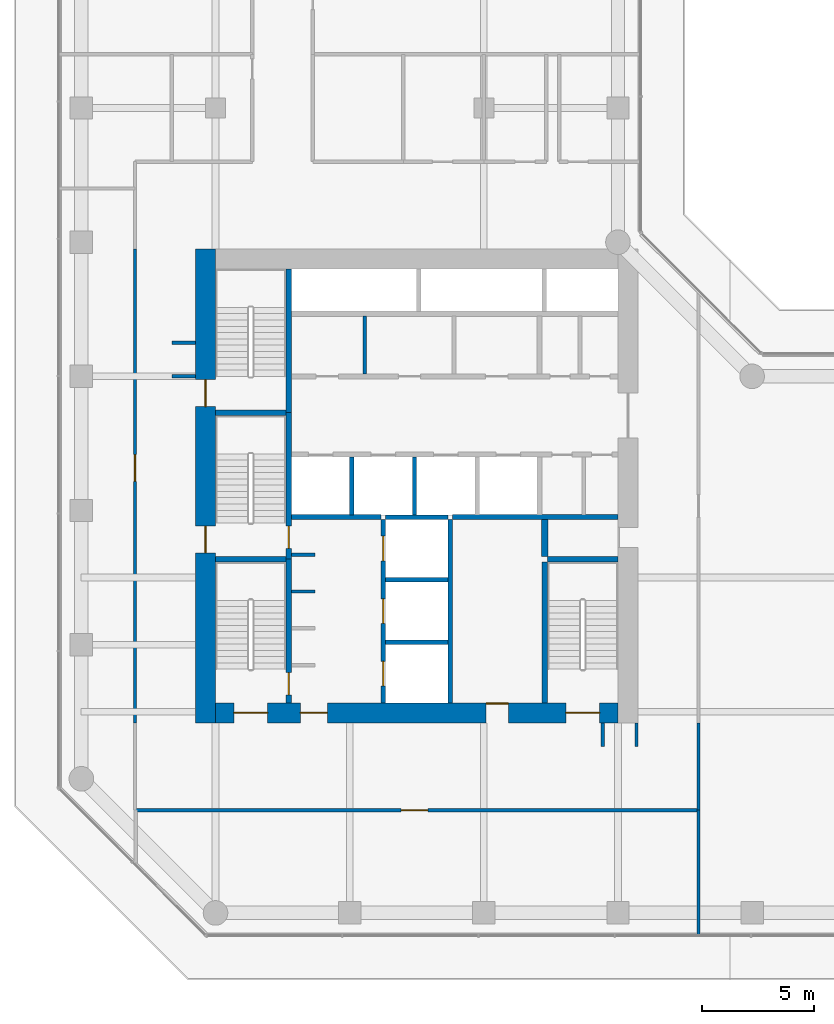
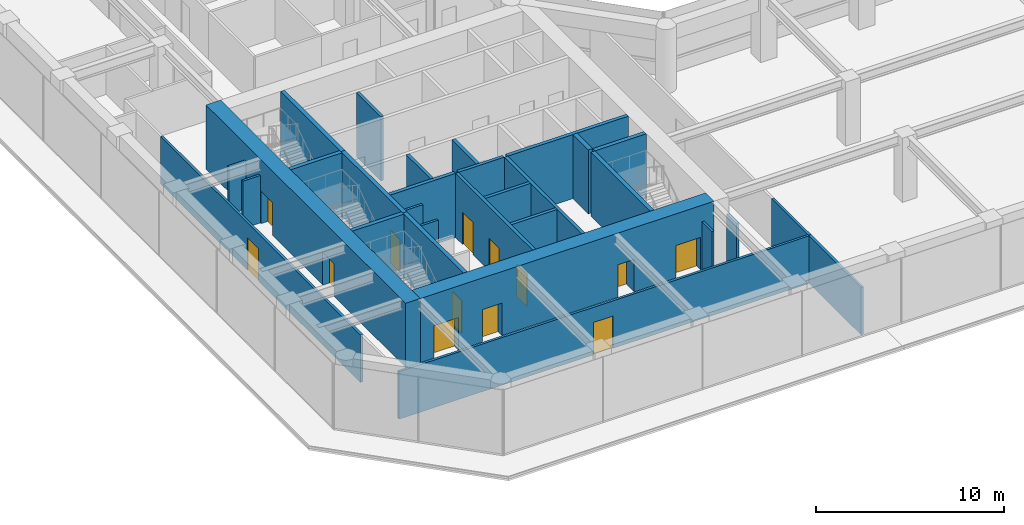
# One storey, part 21 of 24: 30 walls, 13 doors, 13 openings.
"""IFC4 building model written with IfcOpenShell, lengths in metres."""

from ifc_helpers import new_model, si_unit, direction, frame, frame_2d, origin, place, context, subcontext, project, spatial, rectangle, extrude, material, layer, layer_set, type_object, element, fill, save


model = new_model("IFC4")

# Units and contexts
model_context = context("Model", 3, precision=1e-05, world=origin(), true_north=direction((0.0, 1.0)))
body_context = subcontext(model_context, "Body", "Model", "MODEL_VIEW")
ifc_project = project(units=[si_unit("LENGTHUNIT", "METRE"), si_unit("AREAUNIT", "SQUARE_METRE"), si_unit("VOLUMEUNIT", "CUBIC_METRE"), si_unit("PLANEANGLEUNIT", "RADIAN"), si_unit("MASSUNIT", "GRAM", prefix="KILO")], contexts=[model_context])

# Site, building, storey
site_placement = place(None, origin())
site = spatial("IfcSite", under=ifc_project, at=site_placement, CompositionType="ELEMENT")
building_placement = place(site_placement, origin())
building = spatial("IfcBuilding", under=site, at=building_placement, Name="Welwitschia Terrace Campus", CompositionType="ELEMENT")
storey_placement = place(building_placement, frame((0.0, 0.0, 20.0)))
storey = spatial("IfcBuildingStorey", under=building, at=storey_placement, Name="L04", CompositionType="ELEMENT", Elevation=20.0)

# Walls
ifc_material_1 = material(Name="Concrete C32/40", Category="concrete")
ifc_layer_1 = layer(ifc_material_1, 0.175048828125)
ifc_layer_set_1 = layer_set([ifc_layer_1], Name="Concrete C32/40")
wall_type_1 = type_object("IfcWallType", Name="Core partition 175 Concrete C32/40", PredefinedType="PARTITIONING", material=ifc_layer_set_1)
wall_1_placement = place(storey_placement, frame((12.675048828125, 20.10009765625, 0.0), z_axis=(0.0, 0.0, 1.0), x_axis=(0.0, 1.0, 0.0)))
element("IfcWall", 1, at=wall_1_placement, inside=storey, type_object=wall_type_1, Name="Core partition", PredefinedType="PARTITIONING", context=body_context, shape_type="SweptSolid", body=[
    extrude(rectangle(XDim=2.599853515625, YDim=0.175048828125, at=frame_2d((1.2998046875, 0.0))), origin(), (0.0, 0.0, 1.0), 4.14990234375),
])
ifc_material_2 = material(Name="Concrete C32/40", Category="concrete")
ifc_layer_2 = layer(ifc_material_2, 0.22509765625)
ifc_layer_set_2 = layer_set([ifc_layer_2], Name="Concrete C32/40")
wall_type_2 = type_object("IfcWallType", Name="Core partition 225 Concrete C32/40", PredefinedType="PARTITIONING", material=ifc_layer_set_2)
wall_2_placement = place(storey_placement, frame((9.39990234375, 13.699951171875, 0.0), z_axis=(0.0, 0.0, 1.0), x_axis=(1.0, 0.0, 0.0)))
element("IfcWall", 2, at=wall_2_placement, inside=storey, type_object=wall_type_2, Name="Shaft wall", PredefinedType="PARTITIONING", context=body_context, shape_type="SweptSolid", body=[
    extrude(rectangle(XDim=4.0, YDim=0.22509765625, at=frame_2d((2.0, 0.0))), origin(), (0.0, 0.0, 1.0), 4.14990234375),
])
wall_3_placement = place(storey_placement, frame((16.60009765625, 13.699951171875, 0.0), z_axis=(0.0, 0.0, 1.0), x_axis=(1.0, 0.0, 0.0)))
element("IfcWall", 3, at=wall_3_placement, inside=storey, type_object=wall_type_2, Name="Shaft wall", PredefinedType="PARTITIONING", context=body_context, shape_type="SweptSolid", body=[
    extrude(rectangle(XDim=7.39990234375, YDim=0.22509765625, at=frame_2d((3.699951171875, 0.0))), origin(), (0.0, 0.0, 1.0), 4.14990234375),
])
ifc_material_3 = material(Name="Concrete C32/40", Category="concrete")
ifc_layer_3 = layer(ifc_material_3, 0.27490234375)
ifc_layer_set_3 = layer_set([ifc_layer_3], Name="Concrete C32/40")
wall_type_3 = type_object("IfcWallType", Name="Core partition 275 Concrete C32/40", PredefinedType="PARTITIONING", material=ifc_layer_set_3)
wall_4_placement = place(storey_placement, frame((20.72509765625, 11.949951171875, 0.0), z_axis=(0.0, 0.0, 1.0), x_axis=(0.0, 1.0, 0.0)))
element("IfcWall", 4, at=wall_4_placement, inside=storey, type_object=wall_type_3, Name="Core partition", PredefinedType="PARTITIONING", context=body_context, shape_type="SweptSolid", body=[
    extrude(rectangle(XDim=1.650146484375, YDim=0.27490234375, at=frame_2d((0.8251953125, 0.0))), origin(), (0.0, 0.0, 1.0), 4.14990234375),
])
ifc_material_4 = material(Name="Concrete C50/60", Category="concrete")
ifc_layer_4 = layer(ifc_material_4, 0.14990234375)
ifc_layer_set_4 = layer_set([ifc_layer_4], Name="Concrete C50/60")
wall_type_4 = type_object("IfcWallType", Name="Core wall 150 Concrete C50/60", PredefinedType="SHEAR", material=ifc_layer_set_4)
for number, where, z_axis, x_axis, name in (
    (5, (9.39990234375, 10.375, 0.0), (0.0, 0.0, 1.0), (1.0, 0.0, 0.0), "Core wall"),
    (6, (9.39990234375, 12.02490234375, 0.0), (0.0, 0.0, 1.0), (1.0, 0.0, 0.0), "Core wall"),
):
    element("IfcWall", number, at=place(storey_placement, frame(where, z_axis=z_axis, x_axis=x_axis)), inside=storey, type_object=wall_type_4, Name=name, PredefinedType="SHEAR", context=body_context, shape_type="SweptSolid", body=[
        extrude(rectangle(XDim=1.050048828125, YDim=0.14990234375, at=frame_2d((0.52490234375, 0.0))), origin(), (0.0, 0.0, 1.0), 4.14990234375),
    ])
ifc_material_5 = material(Name="Concrete C50/60", Category="concrete")
ifc_layer_5 = layer(ifc_material_5, 0.199951171875)
ifc_layer_set_5 = layer_set([ifc_layer_5], Name="Concrete C50/60")
wall_type_5 = type_object("IfcWallType", Name="Core wall 200 Concrete C50/60", PredefinedType="SHEAR", material=ifc_layer_set_5)
for number, where, z_axis, x_axis, name in (
    (7, (13.60009765625, 8.10009765625, 0.0), (0.0, 0.0, 1.0), (1.0, 0.0, 0.0), "Core wall"),
    (8, (13.60009765625, 10.89990234375, 0.0), (0.0, 0.0, 1.0), (1.0, 0.0, 0.0), "Core wall"),
    (9, (13.60009765625, 13.699951171875, 0.0), (0.0, 0.0, 1.0), (1.0, 0.0, 0.0), "Core wall"),
):
    element("IfcWall", number, at=place(storey_placement, frame(where, z_axis=z_axis, x_axis=x_axis)), inside=storey, type_object=wall_type_5, Name=name, PredefinedType="SHEAR", context=body_context, shape_type="SweptSolid", body=[
        extrude(rectangle(XDim=2.7998046875, YDim=0.199951171875, at=frame_2d((1.39990234375, 0.0))), origin(), (0.0, 0.0, 1.0), 4.14990234375),
    ])

# Wall, openings, doors
wall_5_placement = place(storey_placement, frame((13.5, 5.39990234375, 0.0), z_axis=(0.0, 0.0, 1.0), x_axis=(0.0, 1.0, 0.0)))
wall_5 = element("IfcWall", 10, at=wall_5_placement, inside=storey, type_object=wall_type_5, Name="Core wall", PredefinedType="SHEAR", context=body_context, shape_type="SweptSolid", body=[
    extrude(rectangle(XDim=8.2001953125, YDim=0.199951171875, at=frame_2d((4.10009765625, 0.0))), origin(), (0.0, 0.0, 1.0), 4.14990234375),
])
opening_1_placement = place(wall_5_placement, frame((0.75, 0.0, 0.0)))
opening_1 = element("IfcOpeningElement", 11, at=opening_1_placement, cuts=wall_5, Name="Opening LD", PredefinedType="OPENING", context=body_context, shape_type="SweptSolid", body=[
    extrude(rectangle(XDim=1.10009765625, YDim=2.10009765625, at=frame_2d((0.550048828125, 1.050048828125))), frame((0.0, 0.10986328125, 0.0), z_axis=(0.0, -1.0, 0.0), x_axis=(1.0, 0.0, 0.0)), (0.0, 0.0, 1.0), 0.219970703125),
])
opening_2_placement = place(wall_5_placement, frame((3.550048828125, 0.0, 0.0)))
opening_2 = element("IfcOpeningElement", 12, at=opening_2_placement, cuts=wall_5, Name="Opening LD", PredefinedType="OPENING", context=body_context, shape_type="SweptSolid", body=[
    extrude(rectangle(XDim=1.10009765625, YDim=2.10009765625, at=frame_2d((0.550048828125, 1.050048828125))), frame((0.0, 0.10986328125, 0.0), z_axis=(0.0, -1.0, 0.0), x_axis=(1.0, 0.0, 0.0)), (0.0, 0.0, 1.0), 0.219970703125),
])
opening_3_placement = place(wall_5_placement, frame((6.35009765625, 0.0, 0.0)))
opening_3 = element("IfcOpeningElement", 13, at=opening_3_placement, cuts=wall_5, Name="Opening LD", PredefinedType="OPENING", context=body_context, shape_type="SweptSolid", body=[
    extrude(rectangle(XDim=1.10009765625, YDim=2.10009765625, at=frame_2d((0.550048828125, 1.050048828125))), frame((0.0, 0.10986328125, 0.0), z_axis=(0.0, -1.0, 0.0), x_axis=(1.0, 0.0, 0.0)), (0.0, 0.0, 1.0), 0.219970703125),
])
ifc_material_6 = material(Name="Stainless steel 304", Category="steel")
door_type_1 = type_object("IfcDoorType", Name="Lift landing door", OperationType="DOUBLE_DOOR_SLIDING", PredefinedType="DOOR", material=ifc_material_6)
door_1_placement = place(opening_1_placement, origin())
door_1 = element("IfcDoor", 14, at=door_1_placement, inside=storey, type_object=door_type_1, Name="Landing door FF1", OperationType="DOUBLE_DOOR_SLIDING", OverallHeight=2.10009765625, OverallWidth=1.10009765625, PredefinedType="DOOR", context=body_context, shape_type="SweptSolid", body=[
    extrude(rectangle(XDim=1.10009765625, YDim=2.10009765625, at=frame_2d((0.550048828125, 1.050048828125))), frame((0.0, 0.02490234375, 0.0), z_axis=(0.0, -1.0, 0.0), x_axis=(1.0, 0.0, 0.0)), (0.0, 0.0, 1.0), 0.050048828125),
])
fill(opening_1, door_1)
door_2_placement = place(opening_2_placement, origin())
door_2 = element("IfcDoor", 15, at=door_2_placement, inside=storey, type_object=door_type_1, Name="Landing door FF2", OperationType="DOUBLE_DOOR_SLIDING", OverallHeight=2.10009765625, OverallWidth=1.10009765625, PredefinedType="DOOR", context=body_context, shape_type="SweptSolid", body=[
    extrude(rectangle(XDim=1.10009765625, YDim=2.10009765625, at=frame_2d((0.550048828125, 1.050048828125))), frame((0.0, 0.02490234375, 0.0), z_axis=(0.0, -1.0, 0.0), x_axis=(1.0, 0.0, 0.0)), (0.0, 0.0, 1.0), 0.050048828125),
])
fill(opening_2, door_2)
door_3_placement = place(opening_3_placement, origin())
door_3 = element("IfcDoor", 16, at=door_3_placement, inside=storey, type_object=door_type_1, Name="Landing door SV1", OperationType="DOUBLE_DOOR_SLIDING", OverallHeight=2.10009765625, OverallWidth=1.10009765625, PredefinedType="DOOR", context=body_context, shape_type="SweptSolid", body=[
    extrude(rectangle(XDim=1.10009765625, YDim=2.10009765625, at=frame_2d((0.550048828125, 1.050048828125))), frame((0.0, 0.02490234375, 0.0), z_axis=(0.0, -1.0, 0.0), x_axis=(1.0, 0.0, 0.0)), (0.0, 0.0, 1.0), 0.050048828125),
])
fill(opening_3, door_3)

# Walls
wall_6_placement = place(storey_placement, frame((16.5, 5.39990234375, 0.0), z_axis=(0.0, 0.0, 1.0), x_axis=(0.0, 1.0, 0.0)))
element("IfcWall", 17, at=wall_6_placement, inside=storey, type_object=wall_type_5, Name="Core wall", PredefinedType="SHEAR", context=body_context, shape_type="SweptSolid", body=[
    extrude(rectangle(XDim=8.2001953125, YDim=0.199951171875, at=frame_2d((4.10009765625, 0.0))), origin(), (0.0, 0.0, 1.0), 4.14990234375),
])
ifc_material_7 = material(Name="Concrete C50/60", Category="concrete")
ifc_layer_6 = layer(ifc_material_7, 0.25)
ifc_layer_set_6 = layer_set([ifc_layer_6], Name="Concrete C50/60")
wall_type_6 = type_object("IfcWallType", Name="Core wall 250 Concrete C50/60", PredefinedType="SHEAR", material=ifc_layer_set_6)
for number, where, z_axis, x_axis, name in (
    (18, (6.0, 11.824951171875, 0.0), (0.0, 0.0, 1.0), (1.0, 0.0, 0.0), "Core wall"),
    (19, (20.85009765625, 11.824951171875, 0.0), (0.0, 0.0, 1.0), (1.0, 0.0, 0.0), "Core wall"),
    (20, (6.0, 18.375, 0.0), (0.0, 0.0, 1.0), (1.0, 0.0, 0.0), "Core wall"),
):
    element("IfcWall", number, at=place(storey_placement, frame(where, z_axis=z_axis, x_axis=x_axis)), inside=storey, type_object=wall_type_6, Name=name, PredefinedType="SHEAR", context=body_context, shape_type="SweptSolid", body=[
        extrude(rectangle(XDim=3.14990234375, YDim=0.25, at=frame_2d((1.574951171875, 0.0))), origin(), (0.0, 0.0, 1.0), 4.14990234375),
    ])

# Wall, opening, door
wall_7_placement = place(storey_placement, frame((9.27490234375, 11.824951171875, 0.0), z_axis=(0.0, 0.0, 1.0), x_axis=(0.0, -1.0, 0.0)))
wall_7 = element("IfcWall", 21, at=wall_7_placement, inside=storey, type_object=wall_type_6, Name="Core wall", PredefinedType="SHEAR", context=body_context, shape_type="SweptSolid", body=[
    extrude(rectangle(XDim=6.425048828125, YDim=0.25, at=frame_2d((3.21240234375, 0.0))), origin(), (0.0, 0.0, 1.0), 4.14990234375),
])
opening_4_placement = place(wall_7_placement, frame((5.074951171875, 0.0, 0.0)))
opening_4 = element("IfcOpeningElement", 22, at=opening_4_placement, cuts=wall_7, Name="Opening DS10", PredefinedType="OPENING", context=body_context, shape_type="SweptSolid", body=[
    extrude(rectangle(XDim=1.0, YDim=2.10009765625, at=frame_2d((0.5, 1.050048828125))), frame((0.0, 0.135009765625, 0.0), z_axis=(0.0, -1.0, 0.0), x_axis=(1.0, 0.0, 0.0)), (0.0, 0.0, 1.0), 0.27001953125),
])
ifc_material_8 = material(Name="Steel S275", Category="steel")
door_type_2 = type_object("IfcDoorType", Name="Core door DS10", OperationType="SINGLE_SWING_LEFT", PredefinedType="DOOR", material=ifc_material_8)
door_4_placement = place(opening_4_placement, origin())
door_4 = element("IfcDoor", 23, at=door_4_placement, inside=storey, type_object=door_type_2, Name="Door S1-FL", OperationType="SINGLE_SWING_RIGHT", OverallHeight=2.10009765625, OverallWidth=1.0, PredefinedType="DOOR", context=body_context, shape_type="SweptSolid", body=[
    extrude(rectangle(XDim=1.0, YDim=2.10009765625, at=frame_2d((0.5, 1.050048828125))), frame((0.0, 0.02490234375, 0.0), z_axis=(0.0, -1.0, 0.0), x_axis=(1.0, 0.0, 0.0)), (0.0, 0.0, 1.0), 0.050048828125),
])
fill(opening_4, door_4)

wall_8_placement = place(storey_placement, frame((9.27490234375, 18.375, 0.0), z_axis=(0.0, 0.0, 1.0), x_axis=(0.0, -1.0, 0.0)))
wall_8 = element("IfcWall", 24, at=wall_8_placement, inside=storey, type_object=wall_type_6, Name="Core wall", PredefinedType="SHEAR", context=body_context, shape_type="SweptSolid", body=[
    extrude(rectangle(XDim=6.550048828125, YDim=0.25, at=frame_2d((3.27490234375, 0.0))), origin(), (0.0, 0.0, 1.0), 4.14990234375),
])
opening_5_placement = place(wall_8_placement, frame((5.074951171875, 0.0, 0.0)))
opening_5 = element("IfcOpeningElement", 25, at=opening_5_placement, cuts=wall_8, Name="Opening DS10", PredefinedType="OPENING", context=body_context, shape_type="SweptSolid", body=[
    extrude(rectangle(XDim=1.0, YDim=2.10009765625, at=frame_2d((0.5, 1.050048828125))), frame((0.0, 0.135009765625, 0.0), z_axis=(0.0, -1.0, 0.0), x_axis=(1.0, 0.0, 0.0)), (0.0, 0.0, 1.0), 0.27001953125),
])
door_5_placement = place(opening_5_placement, origin())
door_5 = element("IfcDoor", 26, at=door_5_placement, inside=storey, type_object=door_type_2, Name="Door S3-FL", OperationType="SINGLE_SWING_RIGHT", OverallHeight=2.10009765625, OverallWidth=1.0, PredefinedType="DOOR", context=body_context, shape_type="SweptSolid", body=[
    extrude(rectangle(XDim=1.0, YDim=2.10009765625, at=frame_2d((0.5, 1.050048828125))), frame((0.0, 0.02490234375, 0.0), z_axis=(0.0, -1.0, 0.0), x_axis=(1.0, 0.0, 0.0)), (0.0, 0.0, 1.0), 0.050048828125),
])
fill(opening_5, door_5)

# Walls
wall_9_placement = place(storey_placement, frame((9.27490234375, 18.375, 0.0), z_axis=(0.0, 0.0, 1.0), x_axis=(0.0, 1.0, 0.0)))
element("IfcWall", 27, at=wall_9_placement, inside=storey, type_object=wall_type_6, Name="Core wall", PredefinedType="SHEAR", context=body_context, shape_type="SweptSolid", body=[
    extrude(rectangle(XDim=6.425048828125, YDim=0.25, at=frame_2d((3.21240234375, 0.0))), origin(), (0.0, 0.0, 1.0), 4.14990234375),
])
wall_10_placement = place(storey_placement, frame((20.72509765625, 5.39990234375, 0.0), z_axis=(0.0, 0.0, 1.0), x_axis=(0.0, 1.0, 0.0)))
element("IfcWall", 28, at=wall_10_placement, inside=storey, type_object=wall_type_6, Name="Core wall", PredefinedType="SHEAR", context=body_context, shape_type="SweptSolid", body=[
    extrude(rectangle(XDim=6.300048828125, YDim=0.25, at=frame_2d((3.14990234375, 0.0))), origin(), (0.0, 0.0, 1.0), 4.14990234375),
])

# Wall, openings, doors
ifc_material_9 = material(Name="Concrete C70/85", Category="concrete")
ifc_layer_7 = layer(ifc_material_9, 0.89990234375)
ifc_layer_set_7 = layer_set([ifc_layer_7], Name="Concrete C70/85")
wall_type_7 = type_object("IfcWallType", Name="Core wall 900 Concrete C70/85", PredefinedType="SHEAR", material=ifc_layer_set_7)
wall_11_placement = place(storey_placement, frame((5.550048828125, 4.5, 0.0), z_axis=(0.0, 0.0, 1.0), x_axis=(0.0, 1.0, 0.0)))
wall_11 = element("IfcWall", 29, at=wall_11_placement, inside=storey, type_object=wall_type_7, Name="Core outer wall", PredefinedType="SHEAR", context=body_context, shape_type="SweptSolid", body=[
    extrude(rectangle(XDim=21.199951171875, YDim=0.89990234375, at=frame_2d((10.60009765625, 0.0))), origin(), (0.0, 0.0, 1.0), 4.14990234375),
])
opening_6_placement = place(wall_11_placement, frame((7.60009765625, 0.0, 0.0)))
opening_6 = element("IfcOpeningElement", 30, at=opening_6_placement, cuts=wall_11, Name="Opening DS12", PredefinedType="OPENING", context=body_context, shape_type="SweptSolid", body=[
    extrude(rectangle(XDim=1.199951171875, YDim=2.10009765625, at=frame_2d((0.60009765625, 1.050048828125))), frame((0.0, 0.4599609375, 0.0), z_axis=(0.0, -1.0, 0.0), x_axis=(1.0, 0.0, 0.0)), (0.0, 0.0, 1.0), 0.919921875),
])
opening_7_placement = place(wall_11_placement, frame((14.14990234375, 0.0, 0.0)))
opening_7 = element("IfcOpeningElement", 31, at=opening_7_placement, cuts=wall_11, Name="Opening DS12", PredefinedType="OPENING", context=body_context, shape_type="SweptSolid", body=[
    extrude(rectangle(XDim=1.199951171875, YDim=2.10009765625, at=frame_2d((0.60009765625, 1.050048828125))), frame((0.0, 0.4599609375, 0.0), z_axis=(0.0, -1.0, 0.0), x_axis=(1.0, 0.0, 0.0)), (0.0, 0.0, 1.0), 0.919921875),
])
ifc_material_10 = material(Name="Steel S275", Category="steel")
door_type_3 = type_object("IfcDoorType", Name="Core door DS12", OperationType="SINGLE_SWING_LEFT", PredefinedType="DOOR", material=ifc_material_10)
door_6_placement = place(opening_6_placement, origin())
door_6 = element("IfcDoor", 32, at=door_6_placement, inside=storey, type_object=door_type_3, Name="Door S3-out", OperationType="SINGLE_SWING_LEFT", OverallHeight=2.10009765625, OverallWidth=1.199951171875, PredefinedType="DOOR", context=body_context, shape_type="SweptSolid", body=[
    extrude(rectangle(XDim=1.199951171875, YDim=2.10009765625, at=frame_2d((0.60009765625, 1.050048828125))), frame((0.0, 0.02490234375, 0.0), z_axis=(0.0, -1.0, 0.0), x_axis=(1.0, 0.0, 0.0)), (0.0, 0.0, 1.0), 0.050048828125),
])
fill(opening_6, door_6)
door_7_placement = place(opening_7_placement, origin())
door_7 = element("IfcDoor", 33, at=door_7_placement, inside=storey, type_object=door_type_3, Name="Door S4-out", OperationType="SINGLE_SWING_RIGHT", OverallHeight=2.10009765625, OverallWidth=1.199951171875, PredefinedType="DOOR", context=body_context, shape_type="SweptSolid", body=[
    extrude(rectangle(XDim=1.199951171875, YDim=2.10009765625, at=frame_2d((0.60009765625, 1.050048828125))), frame((0.0, 0.02490234375, 0.0), z_axis=(0.0, -1.0, 0.0), x_axis=(1.0, 0.0, 0.0)), (0.0, 0.0, 1.0), 0.050048828125),
])
fill(opening_7, door_7)

wall_12_placement = place(storey_placement, frame((24.0, 4.949951171875, 0.0), z_axis=(0.0, 0.0, 1.0), x_axis=(-1.0, 0.0, 0.0)))
wall_12 = element("IfcWall", 34, at=wall_12_placement, inside=storey, type_object=wall_type_7, Name="Core outer wall", PredefinedType="SHEAR", context=body_context, shape_type="SweptSolid", body=[
    extrude(rectangle(XDim=18.0, YDim=0.89990234375, at=frame_2d((9.0, 0.0))), origin(), (0.0, 0.0, 1.0), 4.14990234375),
])
opening_8_placement = place(wall_12_placement, frame((15.675048828125, 0.0, 0.0)))
opening_8 = element("IfcOpeningElement", 35, at=opening_8_placement, cuts=wall_12, Name="Opening DS15", PredefinedType="OPENING", context=body_context, shape_type="SweptSolid", body=[
    extrude(rectangle(XDim=1.5, YDim=2.10009765625, at=frame_2d((0.75, 1.050048828125))), frame((0.0, 0.4599609375, 0.0), z_axis=(0.0, -1.0, 0.0), x_axis=(1.0, 0.0, 0.0)), (0.0, 0.0, 1.0), 0.919921875),
])
opening_9_placement = place(wall_12_placement, frame((0.824951171875, 0.0, 0.0)))
opening_9 = element("IfcOpeningElement", 36, at=opening_9_placement, cuts=wall_12, Name="Opening DS15", PredefinedType="OPENING", context=body_context, shape_type="SweptSolid", body=[
    extrude(rectangle(XDim=1.5, YDim=2.10009765625, at=frame_2d((0.75, 1.050048828125))), frame((0.0, 0.4599609375, 0.0), z_axis=(0.0, -1.0, 0.0), x_axis=(1.0, 0.0, 0.0)), (0.0, 0.0, 1.0), 0.919921875),
])
opening_10_placement = place(wall_12_placement, frame((13.0, 0.0, 0.0)))
opening_10 = element("IfcOpeningElement", 37, at=opening_10_placement, cuts=wall_12, Name="Opening DF12", PredefinedType="OPENING", context=body_context, shape_type="SweptSolid", body=[
    extrude(rectangle(XDim=1.199951171875, YDim=2.10009765625, at=frame_2d((0.60009765625, 1.050048828125))), frame((0.0, 0.4599609375, 0.0), z_axis=(0.0, -1.0, 0.0), x_axis=(1.0, 0.0, 0.0)), (0.0, 0.0, 1.0), 0.919921875),
])
opening_11_placement = place(wall_12_placement, frame((4.89990234375, 0.0, 0.0)))
opening_11 = element("IfcOpeningElement", 38, at=opening_11_placement, cuts=wall_12, Name="Opening DR10", PredefinedType="OPENING", context=body_context, shape_type="SweptSolid", body=[
    extrude(rectangle(XDim=1.0, YDim=2.10009765625, at=frame_2d((0.5, 1.050048828125))), frame((0.0, 0.4599609375, 0.0), z_axis=(0.0, -1.0, 0.0), x_axis=(1.0, 0.0, 0.0)), (0.0, 0.0, 1.0), 0.919921875),
])
ifc_material_11 = material(Name="Steel S275", Category="steel")
door_type_4 = type_object("IfcDoorType", Name="Core door DF12", OperationType="SINGLE_SWING_LEFT", PredefinedType="DOOR", material=ifc_material_11)
door_8_placement = place(opening_10_placement, origin())
door_8 = element("IfcDoor", 39, at=door_8_placement, inside=storey, type_object=door_type_4, Name="Door FL-out", OperationType="SINGLE_SWING_RIGHT", OverallHeight=2.10009765625, OverallWidth=1.199951171875, PredefinedType="DOOR", context=body_context, shape_type="SweptSolid", body=[
    extrude(rectangle(XDim=1.199951171875, YDim=2.10009765625, at=frame_2d((0.60009765625, 1.050048828125))), frame((0.0, 0.02490234375, 0.0), z_axis=(0.0, -1.0, 0.0), x_axis=(1.0, 0.0, 0.0)), (0.0, 0.0, 1.0), 0.050048828125),
])
fill(opening_10, door_8)
ifc_material_12 = material(Name="Steel S275", Category="steel")
door_type_5 = type_object("IfcDoorType", Name="Core door DR10", OperationType="SINGLE_SWING_LEFT", PredefinedType="DOOR", material=ifc_material_12)
door_9_placement = place(opening_11_placement, origin())
door_9 = element("IfcDoor", 40, at=door_9_placement, inside=storey, type_object=door_type_5, Name="Door F1-out", OperationType="SINGLE_SWING_LEFT", OverallHeight=2.10009765625, OverallWidth=1.0, PredefinedType="DOOR", context=body_context, shape_type="SweptSolid", body=[
    extrude(rectangle(XDim=1.0, YDim=2.10009765625, at=frame_2d((0.5, 1.050048828125))), frame((0.0, -0.39013671875, 0.0), z_axis=(0.0, -1.0, 0.0), x_axis=(1.0, 0.0, 0.0)), (0.0, 0.0, 1.0), 0.050048828125),
])
fill(opening_11, door_9)
ifc_material_13 = material(Name="Steel S275", Category="steel")
door_type_6 = type_object("IfcDoorType", Name="Core door DS15", OperationType="DOUBLE_DOOR_SINGLE_SWING", PredefinedType="DOOR", material=ifc_material_13)
door_10_placement = place(opening_8_placement, origin())
door_10 = element("IfcDoor", 41, at=door_10_placement, inside=storey, type_object=door_type_6, Name="Door S1-out", OperationType="DOUBLE_DOOR_SINGLE_SWING", OverallHeight=2.10009765625, OverallWidth=1.5, PredefinedType="DOOR", context=body_context, shape_type="SweptSolid", body=[
    extrude(rectangle(XDim=1.5, YDim=2.10009765625, at=frame_2d((0.75, 1.050048828125))), frame((0.0, 0.02490234375, 0.0), z_axis=(0.0, -1.0, 0.0), x_axis=(1.0, 0.0, 0.0)), (0.0, 0.0, 1.0), 0.050048828125),
])
fill(opening_8, door_10)
door_11_placement = place(opening_9_placement, origin())
door_11 = element("IfcDoor", 42, at=door_11_placement, inside=storey, type_object=door_type_6, Name="Door S2-out", OperationType="DOUBLE_DOOR_SINGLE_SWING", OverallHeight=2.10009765625, OverallWidth=1.5, PredefinedType="DOOR", context=body_context, shape_type="SweptSolid", body=[
    extrude(rectangle(XDim=1.5, YDim=2.10009765625, at=frame_2d((0.75, 1.050048828125))), frame((0.0, 0.02490234375, 0.0), z_axis=(0.0, -1.0, 0.0), x_axis=(1.0, 0.0, 0.0)), (0.0, 0.0, 1.0), 0.050048828125),
])
fill(opening_9, door_11)

# Wall, opening, door
ifc_material_14 = material(Name="Gypsum board on steel studs", Category="steel")
ifc_layer_8 = layer(ifc_material_14, 0.14990234375)
ifc_layer_set_8 = layer_set([ifc_layer_8], Name="Gypsum board on steel studs")
wall_type_8 = type_object("IfcWallType", Name="Corridor partition 150 EI 30", PredefinedType="PARTITIONING", material=ifc_layer_set_8)
wall_13_placement = place(storey_placement, frame((2.39990234375, 4.5, 0.0), z_axis=(0.0, 0.0, 1.0), x_axis=(0.0, 1.0, 0.0)))
wall_13 = element("IfcWall", 43, at=wall_13_placement, inside=storey, type_object=wall_type_8, Name="Partition", PredefinedType="PARTITIONING", context=body_context, shape_type="SweptSolid", body=[
    extrude(rectangle(XDim=21.199951171875, YDim=0.14990234375, at=frame_2d((10.60009765625, 0.0))), origin(), (0.0, 0.0, 1.0), 3.080078125),
])
opening_12_placement = place(wall_13_placement, frame((10.800048828125, 0.0, 0.0)))
opening_12 = element("IfcOpeningElement", 44, at=opening_12_placement, cuts=wall_13, Name="Opening DI12", PredefinedType="OPENING", context=body_context, shape_type="SweptSolid", body=[
    extrude(rectangle(XDim=1.199951171875, YDim=2.10009765625, at=frame_2d((0.60009765625, 1.050048828125))), frame((0.0, 0.0849609375, 0.0), z_axis=(0.0, -1.0, 0.0), x_axis=(1.0, 0.0, 0.0)), (0.0, 0.0, 1.0), 0.169921875),
])
ifc_material_15 = material(Name="Timber veneered door", Category="wood")
door_type_7 = type_object("IfcDoorType", Name="Interior door DI12", OperationType="NOTDEFINED", PredefinedType="DOOR", material=ifc_material_15)
door_12_placement = place(opening_12_placement, origin())
door_12 = element("IfcDoor", 45, at=door_12_placement, inside=storey, type_object=door_type_7, Name="Door L04 121", OperationType="SINGLE_SWING_RIGHT", OverallHeight=2.10009765625, OverallWidth=1.199951171875, PredefinedType="DOOR", context=body_context, shape_type="SweptSolid", body=[
    extrude(rectangle(XDim=1.199951171875, YDim=2.10009765625, at=frame_2d((0.60009765625, 1.050048828125))), frame((0.0, 0.02490234375, 0.0), z_axis=(0.0, -1.0, 0.0), x_axis=(1.0, 0.0, 0.0)), (0.0, 0.0, 1.0), 0.050048828125),
])
fill(opening_12, door_12)

# Walls
for number, where, z_axis, x_axis, name in (
    (46, (4.050048828125, 20.0, 0.0), (0.0, 0.0, 1.0), (1.0, 0.0, 0.0), "Partition"),
    (47, (4.050048828125, 21.5, 0.0), (0.0, 0.0, 1.0), (1.0, 0.0, 0.0), "Partition"),
    (48, (23.320068359375, 3.449951171875, 0.0), (0.0, 0.0, 1.0), (0.0, 1.0, 0.0), "Partition"),
    (49, (24.830078125, 3.449951171875, 0.0), (0.0, 0.0, 1.0), (0.0, 1.0, 0.0), "Partition"),
):
    element("IfcWall", number, at=place(storey_placement, frame(where, z_axis=z_axis, x_axis=x_axis)), inside=storey, type_object=wall_type_8, Name=name, PredefinedType="PARTITIONING", context=body_context, shape_type="SweptSolid", body=[
        extrude(rectangle(XDim=1.050048828125, YDim=0.14990234375, at=frame_2d((0.52490234375, 0.0))), origin(), (0.0, 0.0, 1.0), 3.080078125),
    ])
wall_14_placement = place(storey_placement, frame((27.60009765625, -4.969970703125, 0.0), z_axis=(0.0, 0.0, 1.0), x_axis=(0.0, 1.0, 0.0)))
element("IfcWall", 50, at=wall_14_placement, inside=storey, type_object=wall_type_8, Name="Partition", PredefinedType="PARTITIONING", context=body_context, shape_type="SweptSolid", body=[
    extrude(rectangle(XDim=5.570068359375, YDim=0.14990234375, at=frame_2d((2.78515625, 0.0))), origin(), (0.0, 0.0, 1.0), 3.080078125),
])

# Wall, opening, door
wall_15_placement = place(storey_placement, frame((27.60009765625, 0.60009765625, 0.0), z_axis=(0.0, 0.0, 1.0), x_axis=(-1.0, 0.0, 0.0)))
wall_15 = element("IfcWall", 51, at=wall_15_placement, inside=storey, type_object=wall_type_8, Name="Partition", PredefinedType="PARTITIONING", context=body_context, shape_type="SweptSolid", body=[
    extrude(rectangle(XDim=25.2001953125, YDim=0.14990234375, at=frame_2d((12.60009765625, 0.0))), origin(), (0.0, 0.0, 1.0), 3.080078125),
])
opening_13_placement = place(wall_15_placement, frame((12.10009765625, 0.0, 0.0)))
opening_13 = element("IfcOpeningElement", 52, at=opening_13_placement, cuts=wall_15, Name="Opening DI12", PredefinedType="OPENING", context=body_context, shape_type="SweptSolid", body=[
    extrude(rectangle(XDim=1.199951171875, YDim=2.10009765625, at=frame_2d((0.60009765625, 1.050048828125))), frame((0.0, 0.0849609375, 0.0), z_axis=(0.0, -1.0, 0.0), x_axis=(1.0, 0.0, 0.0)), (0.0, 0.0, 1.0), 0.169921875),
])
door_13_placement = place(opening_13_placement, origin())
door_13 = element("IfcDoor", 53, at=door_13_placement, inside=storey, type_object=door_type_7, Name="Door L04 133", OperationType="SINGLE_SWING_RIGHT", OverallHeight=2.10009765625, OverallWidth=1.199951171875, PredefinedType="DOOR", context=body_context, shape_type="SweptSolid", body=[
    extrude(rectangle(XDim=1.199951171875, YDim=2.10009765625, at=frame_2d((0.60009765625, 1.050048828125))), frame((0.0, 0.02490234375, 0.0), z_axis=(0.0, -1.0, 0.0), x_axis=(1.0, 0.0, 0.0)), (0.0, 0.0, 1.0), 0.050048828125),
])
fill(opening_13, door_13)

# Walls
wall_16_placement = place(storey_placement, frame((27.60009765625, 0.60009765625, 0.0), z_axis=(0.0, 0.0, 1.0), x_axis=(0.0, 1.0, 0.0)))
element("IfcWall", 54, at=wall_16_placement, inside=storey, type_object=wall_type_8, Name="Partition", PredefinedType="PARTITIONING", context=body_context, shape_type="SweptSolid", body=[
    extrude(rectangle(XDim=3.89990234375, YDim=0.14990234375, at=frame_2d((1.949951171875, 0.0))), origin(), (0.0, 0.0, 1.0), 3.080078125),
])
ifc_material_16 = material(Name="Concrete C32/40", Category="concrete")
ifc_layer_9 = layer(ifc_material_16, 0.199951171875)
ifc_layer_set_9 = layer_set([ifc_layer_9], Name="Concrete C32/40")
wall_type_9 = type_object("IfcWallType", Name="Shaft wall 200 Concrete C32/40", PredefinedType="SOLIDWALL", material=ifc_layer_set_9)
for number, where, z_axis, x_axis, name in (
    (55, (12.10009765625, 13.800048828125, 0.0), (0.0, 0.0, 1.0), (0.0, 1.0, 0.0), "Shaft wall"),
    (56, (14.89990234375, 13.800048828125, 0.0), (0.0, 0.0, 1.0), (0.0, 1.0, 0.0), "Shaft wall"),
):
    element("IfcWall", number, at=place(storey_placement, frame(where, z_axis=z_axis, x_axis=x_axis)), inside=storey, type_object=wall_type_9, Name=name, PredefinedType="SOLIDWALL", context=body_context, shape_type="SweptSolid", body=[
        extrude(rectangle(XDim=2.599853515625, YDim=0.199951171875, at=frame_2d((1.2998046875, 0.0))), origin(), (0.0, 0.0, 1.0), 4.14990234375),
    ])

save(model, "model.ifc")
